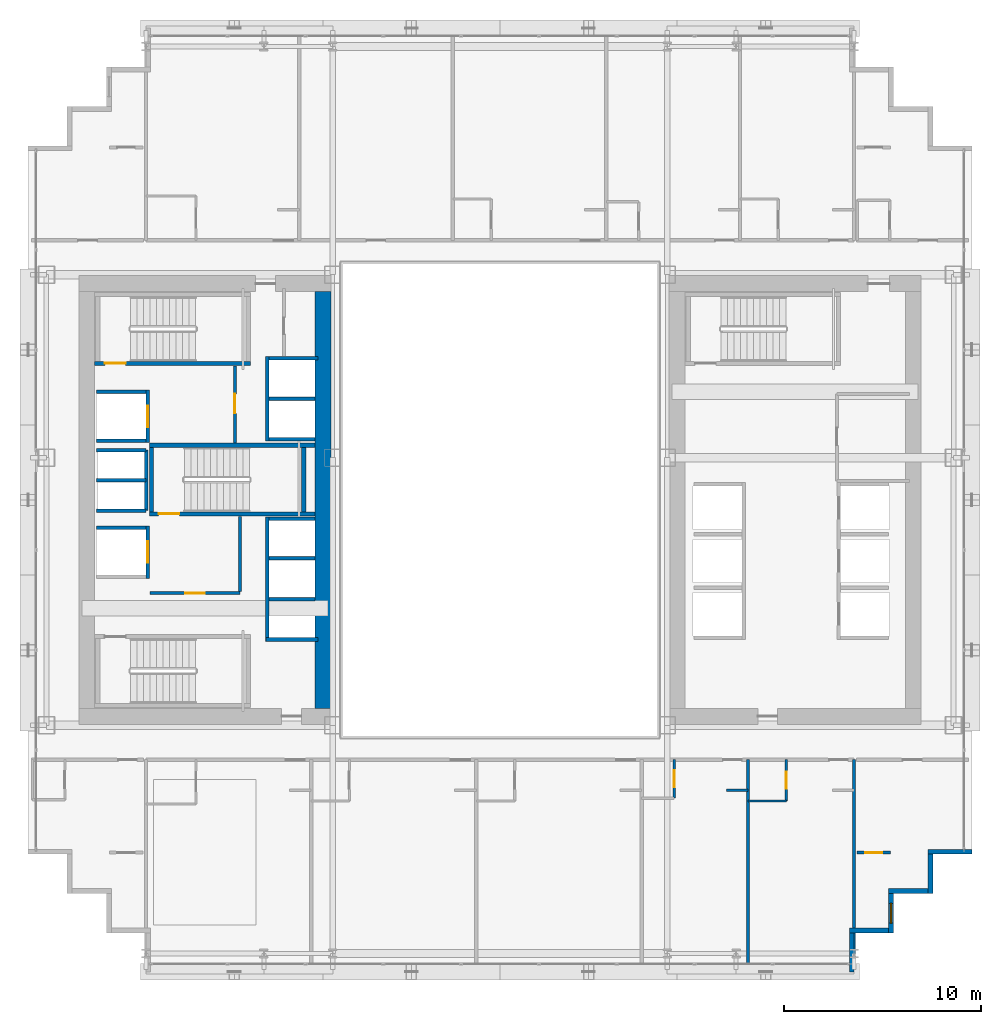
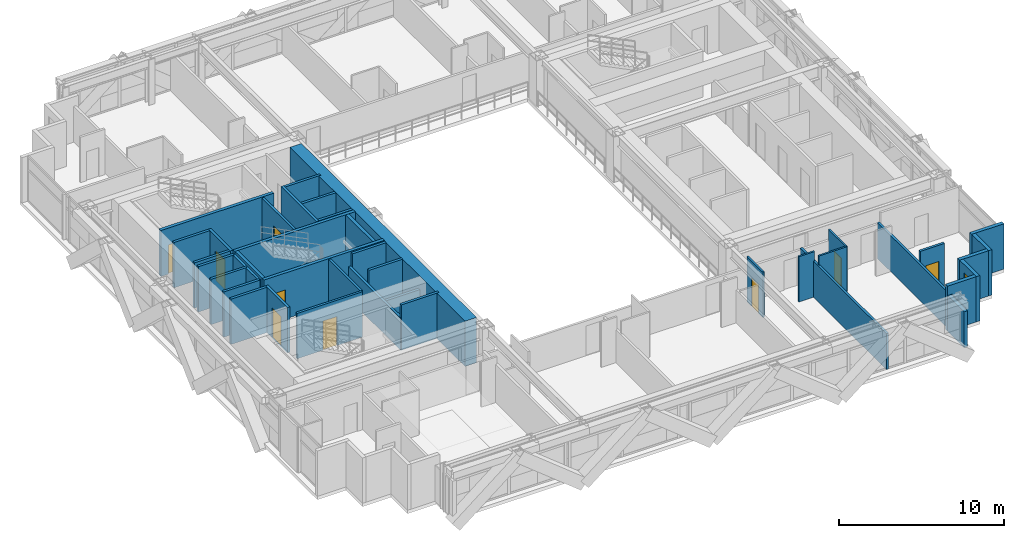
# One storey, part 28 of 35: 40 walls, 9 doors, 1 window, 10 openings.
"""IFC4 building model written with IfcOpenShell, lengths in metres."""

from ifc_helpers import new_model, si_unit, direction, frame, frame_2d, origin, place, context, subcontext, project, spatial, rectangle, extrude, source, transform, mapped, material, layer, layer_set, type_object, element, fill, save


model = new_model("IFC4")

# Units and contexts
model_context = context("Model", 3, precision=1e-05, world=origin(), true_north=direction((0.0, 1.0)))
body_context = subcontext(model_context, "Body", "Model", "MODEL_VIEW")
ifc_project = project(units=[si_unit("LENGTHUNIT", "METRE"), si_unit("AREAUNIT", "SQUARE_METRE"), si_unit("VOLUMEUNIT", "CUBIC_METRE"), si_unit("PLANEANGLEUNIT", "RADIAN"), si_unit("MASSUNIT", "GRAM", prefix="KILO")], contexts=[model_context])

# Site, building, storey
site_placement = place(None, origin())
site = spatial("IfcSite", under=ifc_project, at=site_placement, CompositionType="ELEMENT")
building_placement = place(site_placement, origin())
building = spatial("IfcBuilding", under=site, at=building_placement, Name="Ocotamira Hotel", CompositionType="ELEMENT")
storey_placement = place(building_placement, frame((0.0, 0.0, 56.39990234375)))
storey = spatial("IfcBuildingStorey", under=building, at=storey_placement, Name="L13", CompositionType="ELEMENT", Elevation=56.39990234375)

# Walls
ifc_material_1 = material(Name="Concrete C60/75", Category="concrete")
ifc_layer_1 = layer(ifc_material_1, 0.800048828125)
ifc_layer_set_1 = layer_set([ifc_layer_1], Name="Concrete C60/75")
wall_type_1 = type_object("IfcWallType", Name="WL-CORE-800", PredefinedType="SHEAR", material=ifc_layer_set_1)
wall_1_placement = place(storey_placement, frame((23.0, 15.39990234375, 0.0), z_axis=(0.0, 0.0, 1.0), x_axis=(0.0, 1.0, 0.0)))
element("IfcWall", 1, at=wall_1_placement, inside=storey, type_object=wall_type_1, Name="L13 Shear Core Wall WCORE-E", PredefinedType="SHEAR", context=body_context, shape_type="SweptSolid", body=[
    extrude(rectangle(XDim=21.2001953125, YDim=0.800048828125, at=frame_2d((10.60009765625, 0.0))), origin(), (0.0, 0.0, 1.0), 3.35009765625),
])
ifc_material_2 = material(Name="Precast concrete C45/55", Category="concrete")
ifc_layer_2 = layer(ifc_material_2, 0.25)
ifc_layer_set_2 = layer_set([ifc_layer_2], Name="Precast concrete C45/55")
wall_type_2 = type_object("IfcWallType", Name="WL-EXT-SER-250", PredefinedType="SOLIDWALL", material=ifc_layer_set_2)
wall_2_placement = place(storey_placement, frame((49.875, 2.0, 0.0), z_axis=(0.0, 0.0, 1.0), x_axis=(0.0, 1.0, 0.0)))
element("IfcWall", 2, at=wall_2_placement, inside=storey, type_object=wall_type_2, Name="L13 Serrated Corner Wall 01", PredefinedType="SOLIDWALL", context=body_context, shape_type="SweptSolid", body=[
    extrude(rectangle(XDim=2.0, YDim=0.25, at=frame_2d((1.0, 0.0))), origin(), (0.0, 0.0, 1.0), 2.656982421875),
])
wall_3_placement = place(storey_placement, frame((49.75, 4.125, 0.0), z_axis=(0.0, 0.0, 1.0), x_axis=(1.0, 0.0, 0.0)))
element("IfcWall", 3, at=wall_3_placement, inside=storey, type_object=wall_type_2, Name="L13 Serrated Corner Wall 02", PredefinedType="SOLIDWALL", context=body_context, shape_type="SweptSolid", body=[
    extrude(rectangle(XDim=2.0, YDim=0.25, at=frame_2d((1.0, 0.0))), origin(), (0.0, 0.0, 1.0), 3.35009765625),
])

# Wall, opening, window
wall_4_placement = place(storey_placement, frame((51.875, 4.0, 0.0), z_axis=(0.0, 0.0, 1.0), x_axis=(0.0, 1.0, 0.0)))
wall_4 = element("IfcWall", 4, at=wall_4_placement, inside=storey, type_object=wall_type_2, Name="L13 Serrated Corner Wall 03", PredefinedType="SOLIDWALL", context=body_context, shape_type="SweptSolid", body=[
    extrude(rectangle(XDim=2.0, YDim=0.25, at=frame_2d((1.0, 0.0))), origin(), (0.0, 0.0, 1.0), 3.35009765625),
])
opening_1_placement = place(wall_4_placement, frame((0.5, 0.0, 0.85009765625)))
opening_1 = element("IfcOpeningElement", 5, at=opening_1_placement, cuts=wall_4, Name="Opening WN-2", PredefinedType="OPENING", context=body_context, shape_type="SweptSolid", body=[
    extrude(rectangle(XDim=1.0, YDim=1.89990234375, at=frame_2d((0.5, 0.949951171875))), frame((0.0, 0.135009765625, 0.0), z_axis=(0.0, -1.0, 0.0), x_axis=(1.0, 0.0, 0.0)), (0.0, 0.0, 1.0), 0.27001953125),
])
ifc_material_3 = material(Name="Double-silver low-E solar glass", Category="glass")
window_type = type_object("IfcWindowType", Name="WIN-SER-1100", PartitioningType="SINGLE_PANEL", PredefinedType="WINDOW", material=ifc_material_3)
shared_shape_1 = source(origin(), body_context, "Body", "SweptSolid", [
    extrude(rectangle(XDim=1.0, YDim=1.89990234375, at=frame_2d((0.5, 0.949951171875))), frame((0.0, 0.030029296875, 0.0), z_axis=(0.0, -1.0, 0.0), x_axis=(1.0, 0.0, 0.0)), (0.0, 0.0, 1.0), 0.06005859375),
])
window_placement = place(opening_1_placement, origin())
window = element("IfcWindow", 6, at=window_placement, inside=storey, type_object=window_type, Name="L13 Serrated Corner Window 03", OverallHeight=1.89990234375, OverallWidth=1.0, PartitioningType="SINGLE_PANEL", PredefinedType="WINDOW", context=body_context, shape_type="MappedRepresentation", body=[
    mapped(shared_shape_1, transform((0.0, 0.0, 0.0), scale=1.0)),
])
fill(opening_1, window)

# Walls
for number, where, z_axis, x_axis, name in (
    (7, (51.75, 6.125, 0.0), (0.0, 0.0, 1.0), (1.0, 0.0, 0.0), "L13 Serrated Corner Wall 04"),
    (8, (53.875, 6.0, 0.0), (0.0, 0.0, 1.0), (0.0, 1.0, 0.0), "L13 Serrated Corner Wall 05"),
):
    element("IfcWall", number, at=place(storey_placement, frame(where, z_axis=z_axis, x_axis=x_axis)), inside=storey, type_object=wall_type_2, Name=name, PredefinedType="SOLIDWALL", context=body_context, shape_type="SweptSolid", body=[
        extrude(rectangle(XDim=2.0, YDim=0.25, at=frame_2d((1.0, 0.0))), origin(), (0.0, 0.0, 1.0), 3.35009765625),
    ])
wall_5_placement = place(storey_placement, frame((53.75, 8.125, 0.0), z_axis=(0.0, 0.0, 1.0), x_axis=(1.0, 0.0, 0.0)))
element("IfcWall", 9, at=wall_5_placement, inside=storey, type_object=wall_type_2, Name="L13 Serrated Corner Wall 06", PredefinedType="SOLIDWALL", context=body_context, shape_type="SweptSolid", body=[
    extrude(rectangle(XDim=2.25, YDim=0.25, at=frame_2d((1.125, 0.0))), origin(), (0.0, 0.0, 1.0), 3.35009765625),
])

# Wall, opening, door
ifc_material_4 = material(Name="Acoustic double-layer fire gypsum board partition", Category="gypsum")
ifc_layer_3 = layer(ifc_material_4, 0.159912109375)
ifc_layer_set_3 = layer_set([ifc_layer_3], Name="Acoustic double-layer fire gypsum board partition")
wall_type_3 = type_object("IfcWallType", Name="WL-FIRE-160", PredefinedType="PARTITIONING", material=ifc_layer_set_3)
wall_6_placement = place(storey_placement, frame((14.199951171875, 21.27001953125, 0.0), z_axis=(0.0, 0.0, 1.0), x_axis=(1.0, 0.0, 0.0)))
wall_6 = element("IfcWall", 10, at=wall_6_placement, inside=storey, type_object=wall_type_3, Name="L13 Interior Wall PW-L13-FSAE1-S", PredefinedType="PARTITIONING", context=body_context, shape_type="SweptSolid", body=[
    extrude(rectangle(XDim=4.580078125, YDim=0.159912109375, at=frame_2d((2.2900390625, 0.0))), origin(), (0.0, 0.0, 1.0), 3.35009765625),
])
opening_2_placement = place(wall_6_placement, frame((1.800048828125, 0.0, 0.0)))
opening_2 = element("IfcOpeningElement", 11, at=opening_2_placement, cuts=wall_6, Name="Opening D-FR2", PredefinedType="OPENING", context=body_context, shape_type="SweptSolid", body=[
    extrude(rectangle(XDim=1.0, YDim=2.14990234375, at=frame_2d((0.5, 1.074951171875))), frame((0.0, 0.08984375, 0.0), z_axis=(0.0, -1.0, 0.0), x_axis=(1.0, 0.0, 0.0)), (0.0, 0.0, 1.0), 0.179931640625),
])
ifc_material_5 = material(Name="Fire-rated acoustic timber-veneer door", Category="wood")
door_type_1 = type_object("IfcDoorType", Name="DR-FIRE-1000", OperationType="NOTDEFINED", PredefinedType="DOOR", material=ifc_material_5)
shared_shape_2 = source(origin(), body_context, "Body", "SweptSolid", [
    extrude(rectangle(XDim=1.0, YDim=2.14990234375, at=frame_2d((0.5, 1.074951171875))), frame((0.0, 0.02490234375, 0.0), z_axis=(0.0, -1.0, 0.0), x_axis=(1.0, 0.0, 0.0)), (0.0, 0.0, 1.0), 0.050048828125),
])
door_1_placement = place(opening_2_placement, origin())
door_1 = element("IfcDoor", 12, at=door_1_placement, inside=storey, type_object=door_type_1, Name="L13 Door ID-L13-FSAE1-D [ID-L13-FSAE1-D]", OperationType="SINGLE_SWING_LEFT", OverallHeight=2.14990234375, OverallWidth=1.0, PredefinedType="DOOR", context=body_context, shape_type="MappedRepresentation", body=[
    mapped(shared_shape_2, transform((0.0, 0.0, 0.0), scale=1.0)),
])
fill(opening_2, door_1)

# Wall
wall_7_placement = place(storey_placement, frame((18.780029296875, 21.35009765625, 0.0), z_axis=(0.0, 0.0, 1.0), x_axis=(0.0, 1.0, 0.0)))
element("IfcWall", 13, at=wall_7_placement, inside=storey, type_object=wall_type_3, Name="L13 Interior Wall PW-L13-FSAE1-E", PredefinedType="PARTITIONING", context=body_context, shape_type="SweptSolid", body=[
    extrude(rectangle(XDim=3.809814453125, YDim=0.159912109375, at=frame_2d((1.90478515625, 0.0))), origin(), (0.0, 0.0, 1.0), 3.35009765625),
])

# Wall, opening, door
wall_8_placement = place(storey_placement, frame((18.530029296875, 28.89990234375, 0.0), z_axis=(0.0, 0.0, 1.0), x_axis=(0.0, 1.0, 0.0)))
wall_8 = element("IfcWall", 14, at=wall_8_placement, inside=storey, type_object=wall_type_3, Name="L13 Interior Wall PW-L13-FSAE2-E", PredefinedType="PARTITIONING", context=body_context, shape_type="SweptSolid", body=[
    extrude(rectangle(XDim=3.900146484375, YDim=0.159912109375, at=frame_2d((1.9501953125, 0.0))), origin(), (0.0, 0.0, 1.0), 3.35009765625),
])
opening_3_placement = place(wall_8_placement, frame((1.5, 0.0, 0.0)))
opening_3 = element("IfcOpeningElement", 15, at=opening_3_placement, cuts=wall_8, Name="Opening D-FR2", PredefinedType="OPENING", context=body_context, shape_type="SweptSolid", body=[
    extrude(rectangle(XDim=1.0, YDim=2.14990234375, at=frame_2d((0.5, 1.074951171875))), frame((0.0, 0.08984375, 0.0), z_axis=(0.0, -1.0, 0.0), x_axis=(1.0, 0.0, 0.0)), (0.0, 0.0, 1.0), 0.179931640625),
])
door_2_placement = place(opening_3_placement, origin())
door_2 = element("IfcDoor", 16, at=door_2_placement, inside=storey, type_object=door_type_1, Name="L13 Door ID-L13-FSAE2-D [ID-L13-FSAE2-D]", OperationType="SINGLE_SWING_RIGHT", OverallHeight=2.14990234375, OverallWidth=1.0, PredefinedType="DOOR", context=body_context, shape_type="MappedRepresentation", body=[
    mapped(shared_shape_2, transform((0.0, 0.0, 0.0), scale=1.0)),
])
fill(opening_3, door_2)

wall_9_placement = place(storey_placement, frame((50.14990234375, 8.080078125, 0.0), z_axis=(0.0, 0.0, 1.0), x_axis=(1.0, 0.0, 0.0)))
wall_9 = element("IfcWall", 17, at=wall_9_placement, inside=storey, type_object=wall_type_3, Name="L13 Interior Wall PW-L13-Z1C-CSE2-CW", PredefinedType="PARTITIONING", context=body_context, shape_type="SweptSolid", body=[
    extrude(rectangle(XDim=1.7001953125, YDim=0.159912109375, at=frame_2d((0.85009765625, 0.0))), origin(), (0.0, 0.0, 1.0), 3.35009765625),
])
opening_4_placement = place(wall_9_placement, frame((0.409912109375, 0.0, 0.0)))
opening_4 = element("IfcOpeningElement", 18, at=opening_4_placement, cuts=wall_9, Name="Opening D-SV2", PredefinedType="OPENING", context=body_context, shape_type="SweptSolid", body=[
    extrude(rectangle(XDim=0.8798828125, YDim=2.14990234375, at=frame_2d((0.43994140625, 1.074951171875))), frame((0.0, 0.08984375, 0.0), z_axis=(0.0, -1.0, 0.0), x_axis=(1.0, 0.0, 0.0)), (0.0, 0.0, 1.0), 0.179931640625),
])
ifc_material_6 = material(Name="Fire-rated painted steel service door", Category="steel")
door_type_2 = type_object("IfcDoorType", Name="DR-SERV-880", OperationType="NOTDEFINED", PredefinedType="DOOR", material=ifc_material_6)
shared_shape_3 = source(origin(), body_context, "Body", "SweptSolid", [
    extrude(rectangle(XDim=0.8798828125, YDim=2.14990234375, at=frame_2d((0.43994140625, 1.074951171875))), frame((0.0, 0.02490234375, 0.0), z_axis=(0.0, -1.0, 0.0), x_axis=(1.0, 0.0, 0.0)), (0.0, 0.0, 1.0), 0.050048828125),
])
door_3_placement = place(opening_4_placement, origin())
door_3 = element("IfcDoor", 19, at=door_3_placement, inside=storey, type_object=door_type_2, Name="L13 Door ID-L13-Z1C-CSE2-CD [ID-L13-Z1C-CSE2-CD]", OperationType="SINGLE_SWING_LEFT", OverallHeight=2.14990234375, OverallWidth=0.8798828125, PredefinedType="DOOR", context=body_context, shape_type="MappedRepresentation", body=[
    mapped(shared_shape_3, transform((0.0, 0.0, 0.0), scale=1.0)),
])
fill(opening_4, door_3)

ifc_material_7 = material(Name="Moisture-resistant en-suite tile and gypsum partition", Category="gypsum")
ifc_layer_4 = layer(ifc_material_7, 0.1201171875)
ifc_layer_set_4 = layer_set([ifc_layer_4], Name="Moisture-resistant en-suite tile and gypsum partition")
wall_type_4 = type_object("IfcWallType", Name="WL-PART-120", PredefinedType="PARTITIONING", material=ifc_layer_set_4)
wall_10_placement = place(storey_placement, frame((40.85009765625, 10.85009765625, 0.0), z_axis=(0.0, 0.0, 1.0), x_axis=(0.0, 1.0, 0.0)))
wall_10 = element("IfcWall", 20, at=wall_10_placement, inside=storey, type_object=wall_type_4, Name="L13 Interior Wall PW-L13-Z1CS-BAE4", PredefinedType="PARTITIONING", context=body_context, shape_type="SweptSolid", body=[
    extrude(rectangle(XDim=1.949951171875, YDim=0.1201171875, at=frame_2d((0.97509765625, 0.0))), origin(), (0.0, 0.0, 1.0), 3.35009765625),
])
opening_5_placement = place(wall_10_placement, frame((0.544921875, 0.0, 0.0)))
opening_5 = element("IfcOpeningElement", 21, at=opening_5_placement, cuts=wall_10, Name="Opening D-BA1", PredefinedType="OPENING", context=body_context, shape_type="SweptSolid", body=[
    extrude(rectangle(XDim=0.860107421875, YDim=2.10009765625, at=frame_2d((0.43017578125, 1.050048828125))), frame((0.0, 0.070068359375, 0.0), z_axis=(0.0, -1.0, 0.0), x_axis=(1.0, 0.0, 0.0)), (0.0, 0.0, 1.0), 0.14013671875),
])
ifc_material_8 = material(Name="Moisture-sealed en-suite timber door", Category="wood")
door_type_3 = type_object("IfcDoorType", Name="DR-BATH-860", OperationType="NOTDEFINED", PredefinedType="DOOR", material=ifc_material_8)
shared_shape_4 = source(origin(), body_context, "Body", "SweptSolid", [
    extrude(rectangle(XDim=0.860107421875, YDim=2.10009765625, at=frame_2d((0.43017578125, 1.050048828125))), frame((0.0, 0.02490234375, 0.0), z_axis=(0.0, -1.0, 0.0), x_axis=(1.0, 0.0, 0.0)), (0.0, 0.0, 1.0), 0.050048828125),
])
door_4_placement = place(opening_5_placement, origin())
door_4 = element("IfcDoor", 22, at=door_4_placement, inside=storey, type_object=door_type_3, Name="L13 Door ID-L13-Z1CS-BAD4 [ID-L13-Z1CS-BAD4]", OperationType="SINGLE_SWING_LEFT", OverallHeight=2.10009765625, OverallWidth=0.860107421875, PredefinedType="DOOR", context=body_context, shape_type="MappedRepresentation", body=[
    mapped(shared_shape_4, transform((0.0, 0.0, 0.0), scale=1.0)),
])
fill(opening_5, door_4)

# Wall
wall_11_placement = place(storey_placement, frame((43.5, 11.25, 0.0), z_axis=(0.0, 0.0, 1.0), x_axis=(1.0, 0.0, 0.0)))
element("IfcWall", 23, at=wall_11_placement, inside=storey, type_object=wall_type_4, Name="L13 Interior Wall PW-L13-Z1CS-DRN4", PredefinedType="PARTITIONING", context=body_context, shape_type="SweptSolid", body=[
    extrude(rectangle(XDim=1.10009765625, YDim=0.1201171875, at=frame_2d((0.550048828125, 0.0))), origin(), (0.0, 0.0, 1.0), 3.35009765625),
])

# Wall, opening, door
wall_12_placement = place(storey_placement, frame((46.550048828125, 10.699951171875, 0.0), z_axis=(0.0, 0.0, 1.0), x_axis=(0.0, 1.0, 0.0)))
wall_12 = element("IfcWall", 24, at=wall_12_placement, inside=storey, type_object=wall_type_4, Name="L13 Interior Wall PW-L13-Z1CS-BAE5", PredefinedType="PARTITIONING", context=body_context, shape_type="SweptSolid", body=[
    extrude(rectangle(XDim=2.10009765625, YDim=0.1201171875, at=frame_2d((1.050048828125, 0.0))), origin(), (0.0, 0.0, 1.0), 3.35009765625),
])
opening_6_placement = place(wall_12_placement, frame((0.6201171875, 0.0, 0.0)))
opening_6 = element("IfcOpeningElement", 25, at=opening_6_placement, cuts=wall_12, Name="Opening D-BA1", PredefinedType="OPENING", context=body_context, shape_type="SweptSolid", body=[
    extrude(rectangle(XDim=0.860107421875, YDim=2.10009765625, at=frame_2d((0.43017578125, 1.050048828125))), frame((0.0, 0.070068359375, 0.0), z_axis=(0.0, -1.0, 0.0), x_axis=(1.0, 0.0, 0.0)), (0.0, 0.0, 1.0), 0.14013671875),
])
door_5_placement = place(opening_6_placement, origin())
door_5 = element("IfcDoor", 26, at=door_5_placement, inside=storey, type_object=door_type_3, Name="L13 Door ID-L13-Z1CS-BAD5 [ID-L13-Z1CS-BAD5]", OperationType="SINGLE_SWING_RIGHT", OverallHeight=2.10009765625, OverallWidth=0.860107421875, PredefinedType="DOOR", context=body_context, shape_type="MappedRepresentation", body=[
    mapped(shared_shape_4, transform((0.0, 0.0, 0.0), scale=1.0)),
])
fill(opening_6, door_5)

# Walls
wall_13_placement = place(storey_placement, frame((44.60009765625, 10.699951171875, 0.0), z_axis=(0.0, 0.0, 1.0), x_axis=(1.0, 0.0, 0.0)))
element("IfcWall", 27, at=wall_13_placement, inside=storey, type_object=wall_type_4, Name="L13 Interior Wall PW-L13-Z1CS-BAS5", PredefinedType="PARTITIONING", context=body_context, shape_type="SweptSolid", body=[
    extrude(rectangle(XDim=1.949951171875, YDim=0.1201171875, at=frame_2d((0.97509765625, 0.0))), origin(), (0.0, 0.0, 1.0), 3.35009765625),
])
ifc_material_9 = material(Name="Acoustic double-stud hospitality gypsum partition", Category="gypsum")
ifc_layer_5 = layer(ifc_material_9, 0.159912109375)
ifc_layer_set_5 = layer_set([ifc_layer_5], Name="Acoustic double-stud hospitality gypsum partition")
wall_type_5 = type_object("IfcWallType", Name="WL-PART-160", PredefinedType="PARTITIONING", material=ifc_layer_set_5)
for number, where, z_axis, x_axis, name in (
    (28, (50.0, 2.360107421875, 0.0), (0.0, 0.0, 1.0), (0.0, 1.0, 0.0), "L13 Interior Wall PW-L13-Z1CS-PWEND"),
    (29, (44.60009765625, 2.360107421875, 0.0), (0.0, 0.0, 1.0), (0.0, 1.0, 0.0), "L13 Interior Wall PW-L13-Z1CS-PW4"),
):
    element("IfcWall", number, at=place(storey_placement, frame(where, z_axis=z_axis, x_axis=x_axis)), inside=storey, type_object=wall_type_5, Name=name, PredefinedType="PARTITIONING", context=body_context, shape_type="SweptSolid", body=[
        extrude(rectangle(XDim=10.43994140625, YDim=0.159912109375, at=frame_2d((5.219970703125, 0.0))), origin(), (0.0, 0.0, 1.0), 2.656982421875),
    ])
ifc_material_10 = material(Name="Fire-rated gypsum shaftliner board assembly", Category="gypsum")
ifc_layer_6 = layer(ifc_material_10, 0.179931640625)
ifc_layer_set_6 = layer_set([ifc_layer_6], Name="Fire-rated gypsum shaftliner board assembly")
wall_type_6 = type_object("IfcWallType", Name="WL-SHAFT-180", PredefinedType="SOLIDWALL", material=ifc_layer_set_6)
wall_14_placement = place(storey_placement, frame((20.159912109375, 18.820068359375, 0.0), z_axis=(0.0, 0.0, 1.0), x_axis=(0.0, 1.0, 0.0)))
element("IfcWall", 30, at=wall_14_placement, inside=storey, type_object=wall_type_6, Name="L13 Interior Wall PW-L13-LFW-BANK-high-F", PredefinedType="SOLIDWALL", context=body_context, shape_type="SweptSolid", body=[
    extrude(rectangle(XDim=6.31982421875, YDim=0.179931640625, at=frame_2d((3.159912109375, 0.0))), origin(), (0.0, 0.0, 1.0), 2.360107421875),
])
wall_15_placement = place(storey_placement, frame((20.1201171875, 18.909912109375, 0.0), z_axis=(0.0, 0.0, 1.0), x_axis=(1.0, 0.0, 0.0)))
element("IfcWall", 31, at=wall_15_placement, inside=storey, type_object=wall_type_6, Name="L13 Interior Wall PW-L13-LFW-BANK-high-S", PredefinedType="SOLIDWALL", context=body_context, shape_type="SweptSolid", body=[
    extrude(rectangle(XDim=2.6298828125, YDim=0.179931640625, at=frame_2d((1.31494140625, 0.0))), origin(), (0.0, 0.0, 1.0), 3.35009765625),
])
wall_16_placement = place(storey_placement, frame((20.25, 25.050048828125, 0.0), z_axis=(0.0, 0.0, 1.0), x_axis=(1.0, 0.0, 0.0)))
element("IfcWall", 32, at=wall_16_placement, inside=storey, type_object=wall_type_6, Name="L13 Interior Wall PW-L13-LFW-BANK-high-N", PredefinedType="SOLIDWALL", context=body_context, shape_type="SweptSolid", body=[
    extrude(rectangle(XDim=2.360107421875, YDim=0.179931640625, at=frame_2d((1.18017578125, 0.0))), origin(), (0.0, 0.0, 1.0), 3.35009765625),
])
wall_17_placement = place(storey_placement, frame((20.25, 20.965087890625, 0.0), z_axis=(0.0, 0.0, 1.0), x_axis=(1.0, 0.0, 0.0)))
element("IfcWall", 33, at=wall_17_placement, inside=storey, type_object=wall_type_6, Name="L13 Interior Wall PW-L13-LFW-DIV-LF-P7", PredefinedType="SOLIDWALL", context=body_context, shape_type="SweptSolid", body=[
    extrude(rectangle(XDim=2.360107421875, YDim=0.179931640625, at=frame_2d((1.18017578125, 0.0))), origin(), (0.0, 0.0, 1.0), 2.360107421875),
])
wall_18_placement = place(storey_placement, frame((20.25, 23.044921875, 0.0), z_axis=(0.0, 0.0, 1.0), x_axis=(1.0, 0.0, 0.0)))
element("IfcWall", 34, at=wall_18_placement, inside=storey, type_object=wall_type_6, Name="L13 Interior Wall PW-L13-LFW-DIV-LF-P8", PredefinedType="SOLIDWALL", context=body_context, shape_type="SweptSolid", body=[
    extrude(rectangle(XDim=2.360107421875, YDim=0.179931640625, at=frame_2d((1.18017578125, 0.0))), origin(), (0.0, 0.0, 1.0), 3.35009765625),
])
wall_19_placement = place(storey_placement, frame((20.159912109375, 29.0, 0.0), z_axis=(0.0, 0.0, 1.0), x_axis=(0.0, 1.0, 0.0)))
element("IfcWall", 35, at=wall_19_placement, inside=storey, type_object=wall_type_6, Name="L13 Interior Wall PW-L13-LFW-BANK-obs-F", PredefinedType="SOLIDWALL", context=body_context, shape_type="SweptSolid", body=[
    extrude(rectangle(XDim=4.2900390625, YDim=0.179931640625, at=frame_2d((2.14501953125, 0.0))), origin(), (0.0, 0.0, 1.0), 3.35009765625),
])
wall_20_placement = place(storey_placement, frame((20.25, 29.090087890625, 0.0), z_axis=(0.0, 0.0, 1.0), x_axis=(1.0, 0.0, 0.0)))
element("IfcWall", 36, at=wall_20_placement, inside=storey, type_object=wall_type_6, Name="L13 Interior Wall PW-L13-LFW-BANK-obs-S", PredefinedType="SOLIDWALL", context=body_context, shape_type="SweptSolid", body=[
    extrude(rectangle(XDim=2.360107421875, YDim=0.179931640625, at=frame_2d((1.18017578125, 0.0))), origin(), (0.0, 0.0, 1.0), 3.35009765625),
])
wall_21_placement = place(storey_placement, frame((20.25, 33.199951171875, 0.0), z_axis=(0.0, 0.0, 1.0), x_axis=(1.0, 0.0, 0.0)))
element("IfcWall", 37, at=wall_21_placement, inside=storey, type_object=wall_type_6, Name="L13 Interior Wall PW-L13-LFW-BANK-obs-N", PredefinedType="SOLIDWALL", context=body_context, shape_type="SweptSolid", body=[
    extrude(rectangle(XDim=2.5, YDim=0.179931640625, at=frame_2d((1.25, 0.0))), origin(), (0.0, 0.0, 1.0), 3.35009765625),
])
wall_22_placement = place(storey_placement, frame((20.25, 31.14501953125, 0.0), z_axis=(0.0, 0.0, 1.0), x_axis=(1.0, 0.0, 0.0)))
element("IfcWall", 38, at=wall_22_placement, inside=storey, type_object=wall_type_6, Name="L13 Interior Wall PW-L13-LFW-DIV-LF-OBS1", PredefinedType="SOLIDWALL", context=body_context, shape_type="SweptSolid", body=[
    extrude(rectangle(XDim=2.360107421875, YDim=0.179931640625, at=frame_2d((1.18017578125, 0.0))), origin(), (0.0, 0.0, 1.0), 3.35009765625),
])
wall_23_placement = place(storey_placement, frame((11.5, 24.590087890625, 0.0), z_axis=(0.0, 0.0, 1.0), x_axis=(1.0, 0.0, 0.0)))
element("IfcWall", 39, at=wall_23_placement, inside=storey, type_object=wall_type_6, Name="L13 Interior Wall PW-L13-LFW-LF-FSAE1-N", PredefinedType="SOLIDWALL", context=body_context, shape_type="SweptSolid", body=[
    extrude(rectangle(XDim=2.5, YDim=0.179931640625, at=frame_2d((1.25, 0.0))), origin(), (0.0, 0.0, 1.0), 3.35009765625),
])

# Wall, opening, door
wall_24_placement = place(storey_placement, frame((14.090087890625, 22.02001953125, 0.0), z_axis=(0.0, 0.0, 1.0), x_axis=(0.0, 1.0, 0.0)))
wall_24 = element("IfcWall", 40, at=wall_24_placement, inside=storey, type_object=wall_type_6, Name="L13 Interior Wall PW-L13-LFW-LF-FSAE1-E", PredefinedType="SOLIDWALL", context=body_context, shape_type="SweptSolid", body=[
    extrude(rectangle(XDim=2.659912109375, YDim=0.179931640625, at=frame_2d((1.330078125, 0.0))), origin(), (0.0, 0.0, 1.0), 3.35009765625),
])
opening_7_placement = place(wall_24_placement, frame((0.780029296875, 0.0, 0.0)))
opening_7 = element("IfcOpeningElement", 41, at=opening_7_placement, cuts=wall_24, Name="Opening LD-LF-FSAE1", PredefinedType="OPENING", context=body_context, shape_type="SweptSolid", body=[
    extrude(rectangle(XDim=1.10009765625, YDim=2.199951171875, at=frame_2d((0.550048828125, 1.10009765625))), frame((0.0, 0.10009765625, 0.0), z_axis=(0.0, -1.0, 0.0), x_axis=(1.0, 0.0, 0.0)), (0.0, 0.0, 1.0), 0.199951171875),
])
ifc_material_11 = material(Name="Brushed pale-metal stainless elevator landing door", Category="steel")
door_type_4 = type_object("IfcDoorType", Name="DR-LIFT-1100", OperationType="NOTDEFINED", PredefinedType="DOOR", material=ifc_material_11)
shared_shape_5 = source(origin(), body_context, "Body", "SweptSolid", [
    extrude(rectangle(XDim=1.10009765625, YDim=2.199951171875, at=frame_2d((0.550048828125, 1.10009765625))), frame((0.0, 0.02490234375, 0.0), z_axis=(0.0, -1.0, 0.0), x_axis=(1.0, 0.0, 0.0)), (0.0, 0.0, 1.0), 0.050048828125),
])
door_6_placement = place(opening_7_placement, origin())
door_6 = element("IfcDoor", 42, at=door_6_placement, inside=storey, type_object=door_type_4, Name="L13 Landing Door LD-LF-FSAE1 [ID-L13-LD-LF-FSAE1]", OperationType="DOUBLE_DOOR_SLIDING", OverallHeight=2.199951171875, OverallWidth=1.10009765625, PredefinedType="DOOR", context=body_context, shape_type="MappedRepresentation", body=[
    mapped(shared_shape_5, transform((0.0, 0.0, 0.0), scale=1.0)),
])
fill(opening_7, door_6)

# Walls
for number, where, z_axis, x_axis, name in (
    (43, (11.5, 29.010009765625, 0.0), (0.0, 0.0, 1.0), (1.0, 0.0, 0.0), "L13 Interior Wall PW-L13-LFW-LF-FSAE2-S"),
    (44, (11.5, 31.489990234375, 0.0), (0.0, 0.0, 1.0), (1.0, 0.0, 0.0), "L13 Interior Wall PW-L13-LFW-LF-FSAE2-N"),
):
    element("IfcWall", number, at=place(storey_placement, frame(where, z_axis=z_axis, x_axis=x_axis)), inside=storey, type_object=wall_type_6, Name=name, PredefinedType="SOLIDWALL", context=body_context, shape_type="SweptSolid", body=[
        extrude(rectangle(XDim=2.5, YDim=0.179931640625, at=frame_2d((1.25, 0.0))), origin(), (0.0, 0.0, 1.0), 3.35009765625),
    ])

# Wall, opening, door
wall_25_placement = place(storey_placement, frame((14.090087890625, 28.919921875, 0.0), z_axis=(0.0, 0.0, 1.0), x_axis=(0.0, 1.0, 0.0)))
wall_25 = element("IfcWall", 45, at=wall_25_placement, inside=storey, type_object=wall_type_6, Name="L13 Interior Wall PW-L13-LFW-LF-FSAE2-E", PredefinedType="SOLIDWALL", context=body_context, shape_type="SweptSolid", body=[
    extrude(rectangle(XDim=2.66015625, YDim=0.179931640625, at=frame_2d((1.330078125, 0.0))), origin(), (0.0, 0.0, 1.0), 3.35009765625),
])
opening_8_placement = place(wall_25_placement, frame((0.780029296875, 0.0, 0.0)))
opening_8 = element("IfcOpeningElement", 46, at=opening_8_placement, cuts=wall_25, Name="Opening LD-LF-FSAE2", PredefinedType="OPENING", context=body_context, shape_type="SweptSolid", body=[
    extrude(rectangle(XDim=1.10009765625, YDim=2.199951171875, at=frame_2d((0.550048828125, 1.10009765625))), frame((0.0, 0.10009765625, 0.0), z_axis=(0.0, -1.0, 0.0), x_axis=(1.0, 0.0, 0.0)), (0.0, 0.0, 1.0), 0.199951171875),
])
door_7_placement = place(opening_8_placement, origin())
door_7 = element("IfcDoor", 47, at=door_7_placement, inside=storey, type_object=door_type_4, Name="L13 Landing Door LD-LF-FSAE2 [ID-L13-LD-LF-FSAE2]", OperationType="DOUBLE_DOOR_SLIDING", OverallHeight=2.199951171875, OverallWidth=1.10009765625, PredefinedType="DOOR", context=body_context, shape_type="MappedRepresentation", body=[
    mapped(shared_shape_5, transform((0.0, 0.0, 0.0), scale=1.0)),
])
fill(opening_8, door_7)

# Walls
for number, where, z_axis, x_axis, name in (
    (48, (11.5, 25.4599609375, 0.0), (0.0, 0.0, 1.0), (1.0, 0.0, 0.0), "L13 Interior Wall PW-L13-RSW-S"),
    (49, (11.5, 27.0, 0.0), (0.0, 0.0, 1.0), (1.0, 0.0, 0.0), "L13 Interior Wall PW-L13-RSW-MID"),
    (50, (11.5, 28.5400390625, 0.0), (0.0, 0.0, 1.0), (1.0, 0.0, 0.0), "L13 Interior Wall PW-L13-RSW-N"),
):
    element("IfcWall", number, at=place(storey_placement, frame(where, z_axis=z_axis, x_axis=x_axis)), inside=storey, type_object=wall_type_6, Name=name, PredefinedType="SOLIDWALL", context=body_context, shape_type="SweptSolid", body=[
        extrude(rectangle(XDim=2.510009765625, YDim=0.179931640625, at=frame_2d((1.2548828125, 0.0))), origin(), (0.0, 0.0, 1.0), 3.35009765625),
    ])
wall_26_placement = place(storey_placement, frame((14.010009765625, 25.4599609375, 0.0), z_axis=(0.0, 0.0, 1.0), x_axis=(0.0, 1.0, 0.0)))
element("IfcWall", 51, at=wall_26_placement, inside=storey, type_object=wall_type_6, Name="L13 Interior Wall PW-L13-RSW-E", PredefinedType="SOLIDWALL", context=body_context, shape_type="SweptSolid", body=[
    extrude(rectangle(XDim=3.080078125, YDim=0.179931640625, at=frame_2d((1.5400390625, 0.0))), origin(), (0.0, 0.0, 1.0), 3.35009765625),
])

# Wall, opening, door
ifc_material_12 = material(Name="Concrete C50/60", Category="concrete")
ifc_layer_7 = layer(ifc_material_12, 0.219970703125)
ifc_layer_set_7 = layer_set([ifc_layer_7], Name="Concrete C50/60")
wall_type_7 = type_object("IfcWallType", Name="WL-STAIR-220", PredefinedType="SHEAR", material=ifc_layer_set_7)
wall_27_placement = place(storey_placement, frame((11.39990234375, 32.93994140625, 0.0), z_axis=(0.0, 0.0, 1.0), x_axis=(1.0, 0.0, 0.0)))
wall_27 = element("IfcWall", 52, at=wall_27_placement, inside=storey, type_object=wall_type_7, Name="L13 Stair Shaft Structural Wall ST-2-S", PredefinedType="SHEAR", context=body_context, shape_type="SweptSolid", body=[
    extrude(rectangle(XDim=7.91015625, YDim=0.219970703125, at=frame_2d((3.955078125, 0.0))), origin(), (0.0, 0.0, 1.0), 3.400146484375),
])
opening_9_placement = place(wall_27_placement, frame((0.52001953125, 0.0, 0.0)))
opening_9 = element("IfcOpeningElement", 53, at=opening_9_placement, cuts=wall_27, Name="Opening D-ST2", PredefinedType="OPENING", context=body_context, shape_type="SweptSolid", body=[
    extrude(rectangle(XDim=1.050048828125, YDim=2.14990234375, at=frame_2d((0.52490234375, 1.074951171875))), frame((0.0, 0.1201171875, 0.0), z_axis=(0.0, -1.0, 0.0), x_axis=(1.0, 0.0, 0.0)), (0.0, 0.0, 1.0), 0.239990234375),
])
ifc_material_13 = material(Name="Insulated painted hollow-metal fire exit door", Category="steel")
door_type_5 = type_object("IfcDoorType", Name="DR-STAIR-1050", OperationType="NOTDEFINED", PredefinedType="DOOR", material=ifc_material_13)
shared_shape_6 = source(origin(), body_context, "Body", "SweptSolid", [
    extrude(rectangle(XDim=1.050048828125, YDim=2.14990234375, at=frame_2d((0.52490234375, 1.074951171875))), frame((0.0, 0.02490234375, 0.0), z_axis=(0.0, -1.0, 0.0), x_axis=(1.0, 0.0, 0.0)), (0.0, 0.0, 1.0), 0.050048828125),
])
door_8_placement = place(opening_9_placement, origin())
door_8 = element("IfcDoor", 54, at=door_8_placement, inside=storey, type_object=door_type_5, Name="L13 Door ID-L13-STD-ST-2 [ID-L13-STD-ST-2]", OperationType="SINGLE_SWING_LEFT", OverallHeight=2.14990234375, OverallWidth=1.050048828125, PredefinedType="DOOR", context=body_context, shape_type="MappedRepresentation", body=[
    mapped(shared_shape_6, transform((0.0, 0.0, 0.0), scale=1.0)),
])
fill(opening_9, door_8)

wall_28_placement = place(storey_placement, frame((14.179931640625, 25.2900390625, 0.0), z_axis=(0.0, 0.0, 1.0), x_axis=(1.0, 0.0, 0.0)))
wall_28 = element("IfcWall", 55, at=wall_28_placement, inside=storey, type_object=wall_type_7, Name="L13 Stair Shaft Structural Wall ST-3-S", PredefinedType="SHEAR", context=body_context, shape_type="SweptSolid", body=[
    extrude(rectangle(XDim=8.420166015625, YDim=0.219970703125, at=frame_2d((4.2099609375, 0.0))), origin(), (0.0, 0.0, 1.0), 3.400146484375),
])
opening_10_placement = place(wall_28_placement, frame((0.469970703125, 0.0, 0.0)))
opening_10 = element("IfcOpeningElement", 56, at=opening_10_placement, cuts=wall_28, Name="Opening D-ST2", PredefinedType="OPENING", context=body_context, shape_type="SweptSolid", body=[
    extrude(rectangle(XDim=1.050048828125, YDim=2.14990234375, at=frame_2d((0.52490234375, 1.074951171875))), frame((0.0, 0.1201171875, 0.0), z_axis=(0.0, -1.0, 0.0), x_axis=(1.0, 0.0, 0.0)), (0.0, 0.0, 1.0), 0.239990234375),
])
door_9_placement = place(opening_10_placement, origin())
door_9 = element("IfcDoor", 57, at=door_9_placement, inside=storey, type_object=door_type_5, Name="L13 Door ID-L13-STD-ST-3 [ID-L13-STD-ST-3]", OperationType="SINGLE_SWING_RIGHT", OverallHeight=2.14990234375, OverallWidth=1.050048828125, PredefinedType="DOOR", context=body_context, shape_type="MappedRepresentation", body=[
    mapped(shared_shape_6, transform((0.0, 0.0, 0.0), scale=1.0)),
])
fill(opening_10, door_9)

# Walls
wall_29_placement = place(storey_placement, frame((14.179931640625, 28.7900390625, 0.0), z_axis=(0.0, 0.0, 1.0), x_axis=(1.0, 0.0, 0.0)))
element("IfcWall", 58, at=wall_29_placement, inside=storey, type_object=wall_type_7, Name="L13 Stair Shaft Structural Wall ST-3-N", PredefinedType="SHEAR", context=body_context, shape_type="SweptSolid", body=[
    extrude(rectangle(XDim=8.420166015625, YDim=0.219970703125, at=frame_2d((4.2099609375, 0.0))), origin(), (0.0, 0.0, 1.0), 3.400146484375),
])
for number, where, z_axis, x_axis, name in (
    (59, (14.2900390625, 25.39990234375, 0.0), (0.0, 0.0, 1.0), (0.0, 1.0, 0.0), "L13 Stair Shaft Structural Wall ST-3-W"),
    (60, (22.030029296875, 25.39990234375, 0.0), (0.0, 0.0, 1.0), (0.0, 1.0, 0.0), "L13 Stair Shaft Structural Wall ST-3-E"),
):
    element("IfcWall", number, at=place(storey_placement, frame(where, z_axis=z_axis, x_axis=x_axis)), inside=storey, type_object=wall_type_7, Name=name, PredefinedType="SHEAR", context=body_context, shape_type="SweptSolid", body=[
        extrude(rectangle(XDim=3.280029296875, YDim=0.219970703125, at=frame_2d((1.64013671875, 0.0))), origin(), (0.0, 0.0, 1.0), 3.400146484375),
    ])

save(model, "model.ifc")
